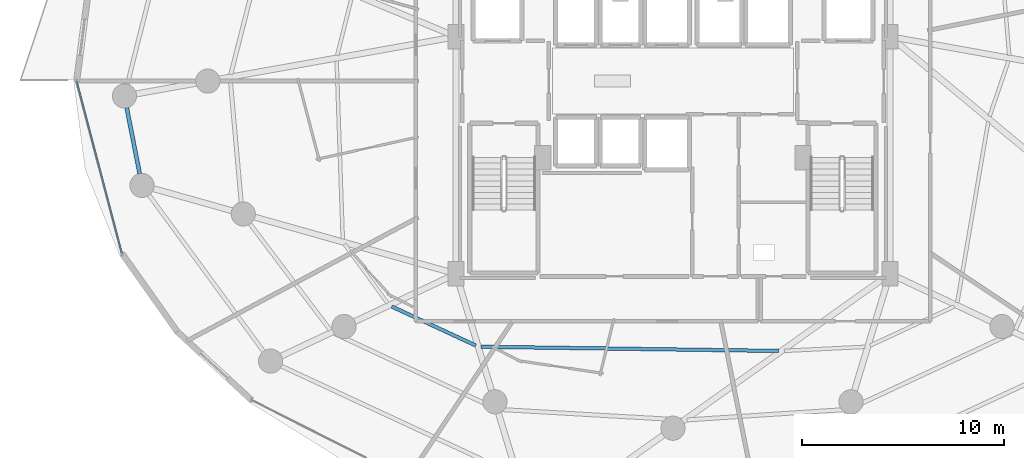
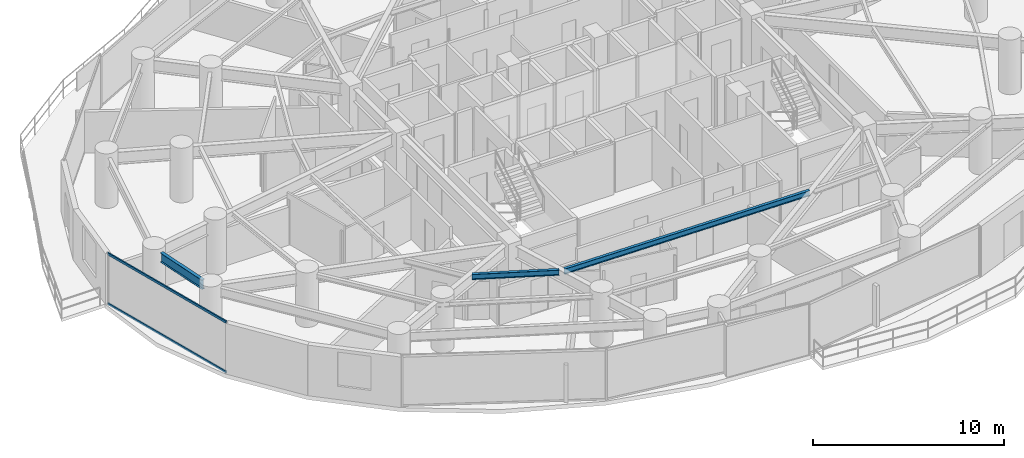
# One storey, part 7 of 34: 3 beams, 2 members, 1 element without a shape of its own.
"""IFC4 building model written with IfcOpenShell, lengths in metres."""

from ifc_helpers import new_model, si_unit, direction, frame, origin, origin_2d, place, context, subcontext, project, spatial, hollow_rectangle, i_section, extrude, material, material_profile, profile_set, type_object, element, aggregate, save


model = new_model("IFC4")

# Units and contexts
model_context = context("Model", 3, precision=1e-05, world=origin(), true_north=direction((0.0, 1.0)))
body_context = subcontext(model_context, "Body", "Model", "MODEL_VIEW")
ifc_project = project(units=[si_unit("LENGTHUNIT", "METRE"), si_unit("AREAUNIT", "SQUARE_METRE"), si_unit("VOLUMEUNIT", "CUBIC_METRE"), si_unit("PLANEANGLEUNIT", "RADIAN"), si_unit("MASSUNIT", "GRAM", prefix="KILO")], contexts=[model_context])

# Site, building, storey
site_placement = place(None, origin())
site = spatial("IfcSite", under=ifc_project, at=site_placement, CompositionType="ELEMENT")
building_placement = place(site_placement, origin())
building = spatial("IfcBuilding", under=site, at=building_placement, Name="Vorneva Point Tower", CompositionType="ELEMENT")
storey_placement = place(building_placement, frame((0.0, 0.0, 62.5)))
storey = spatial("IfcBuildingStorey", under=building, at=storey_placement, Name="L16", CompositionType="ELEMENT", Elevation=62.5)

# Beams
ifc_material_1 = material(Name="Steel S355", Category="steel")
ifc_material_profile_1 = material_profile(ifc_material_1, i_section(OverallWidth=0.174072265625, OverallDepth=0.345947265625, WebThickness=0.006103515625, FlangeThickness=0.009033203125, at=origin_2d()), Name="35B1")
ifc_profile_set_1 = profile_set([ifc_material_profile_1], Name="Steel S355")
beam_type_1 = type_object("IfcBeamType", Name="BM-SEC-35B1", PredefinedType="BEAM", material=ifc_profile_set_1)
beam_1_placement = place(storey_placement, frame((24.06201171875, 14.83203125, 3.06689453125), z_axis=(0.906780239471, -0.421603602101, 0.0), x_axis=(0.421603602101, 0.906780239471, 0.0)))
element("IfcBeam", 1, at=beam_1_placement, inside=storey, type_object=beam_type_1, Name="L16 Secondary Floor Beam 2.11", PredefinedType="BEAM", context=body_context, shape_type="SweptSolid", body=[
    extrude(i_section(OverallWidth=0.174072265625, OverallDepth=0.345947265625, WebThickness=0.006103515625, FlangeThickness=0.009033203125, at=origin_2d()), origin(), (0.0, 0.0, 1.0), 4.589111328125),
])
beam_2_placement = place(storey_placement, frame((28.486572265625, 12.8369140625, 3.06689453125), z_axis=(0.999900621226, -0.014097789626, 0.0), x_axis=(0.014097789626, 0.999900621226, 0.0)))
element("IfcBeam", 2, at=beam_2_placement, inside=storey, type_object=beam_type_1, Name="L16 Secondary Floor Beam 2.12", PredefinedType="BEAM", context=body_context, shape_type="SweptSolid", body=[
    extrude(i_section(OverallWidth=0.174072265625, OverallDepth=0.345947265625, WebThickness=0.006103515625, FlangeThickness=0.009033203125, at=origin_2d()), origin(), (0.0, 0.0, 1.0), 14.754638671875),
])
ifc_material_profile_2 = material_profile(ifc_material_1, i_section(OverallWidth=0.198974609375, OverallDepth=0.595947265625, WebThickness=0.010009765625, FlangeThickness=0.014892578125, at=origin_2d()), Name="60B1")
ifc_profile_set_2 = profile_set([ifc_material_profile_2], Name="Steel S355")
beam_type_2 = type_object("IfcBeamType", Name="BM-SPN-60B1", PredefinedType="SPANDREL", material=ifc_profile_set_2)
beam_3_placement = place(storey_placement, frame((10.9306640625, 24.68701171875, 2.94189453125), z_axis=(0.192691361054, -0.981259414923, 0.0), x_axis=(0.981259414923, 0.192691361054, 0.0)))
element("IfcBeam", 3, at=beam_3_placement, inside=storey, type_object=beam_type_2, Name="L16 Perimeter Spandrel Ring Beam 09", PredefinedType="SPANDREL", context=body_context, shape_type="SweptSolid", body=[
    extrude(i_section(OverallWidth=0.198974609375, OverallDepth=0.595947265625, WebThickness=0.010009765625, FlangeThickness=0.014892578125, at=origin_2d()), origin(), (0.0, 0.0, 1.0), 3.34619140625),
])

# Curtain wall, members
ifc_material_2 = material(Name="Pale anodised aluminium", Category="aluminium")
curtain_wall_type = type_object("IfcCurtainWallType", Name="CW-HTL-SYS", PredefinedType="NOTDEFINED", material=ifc_material_2)
curtain_wall_placement = place(storey_placement, origin())
curtain_wall = element("IfcCurtainWall", 4, at=curtain_wall_placement, inside=storey, type_object=curtain_wall_type, Name="L16 Unitised Curtain Wall CW-L16-R03", PredefinedType="NOTDEFINED")
ifc_material_profile_3 = material_profile(ifc_material_2, hollow_rectangle(XDim=0.074951171875, YDim=0.14990234375, WallThickness=0.00390625, at=origin_2d()), Name="AL-TRN 150x75x4")
ifc_profile_set_3 = profile_set([ifc_material_profile_3], Name="Pale anodised aluminium")
member_type = type_object("IfcMemberType", Name="CW-TRN-150", PredefinedType="USERDEFINED", material=ifc_profile_set_3)
member_1_placement = place(storey_placement, frame((8.449951171875, 26.0, 0.02001953125), z_axis=(0.254358772746, -0.967109928978, 0.0), x_axis=(0.967109928978, 0.254358772746, 0.0)))
member_1 = element("IfcMember", 5, at=member_1_placement, type_object=member_type, Name="CW-L16-R03 Transom 01.1", ObjectType="TRANSOM", PredefinedType="USERDEFINED", context=body_context, shape_type="SweptSolid", body=[
    extrude(hollow_rectangle(XDim=0.074951171875, YDim=0.14990234375, WallThickness=0.00390625, at=origin_2d()), origin(), (0.0, 0.0, 1.0), 8.84375),
])
member_2_placement = place(storey_placement, frame((8.449951171875, 26.0, 3.219970703125), z_axis=(0.254358772746, -0.967109928978, 0.0), x_axis=(0.967109928978, 0.254358772746, 0.0)))
member_2 = element("IfcMember", 6, at=member_2_placement, type_object=member_type, Name="CW-L16-R03 Transom 01.2", ObjectType="TRANSOM", PredefinedType="USERDEFINED", context=body_context, shape_type="SweptSolid", body=[
    extrude(hollow_rectangle(XDim=0.074951171875, YDim=0.14990234375, WallThickness=0.00390625, at=origin_2d()), origin(), (0.0, 0.0, 1.0), 8.84375),
])
aggregate(curtain_wall, [member_1, member_2])

save(model, "model.ifc")
